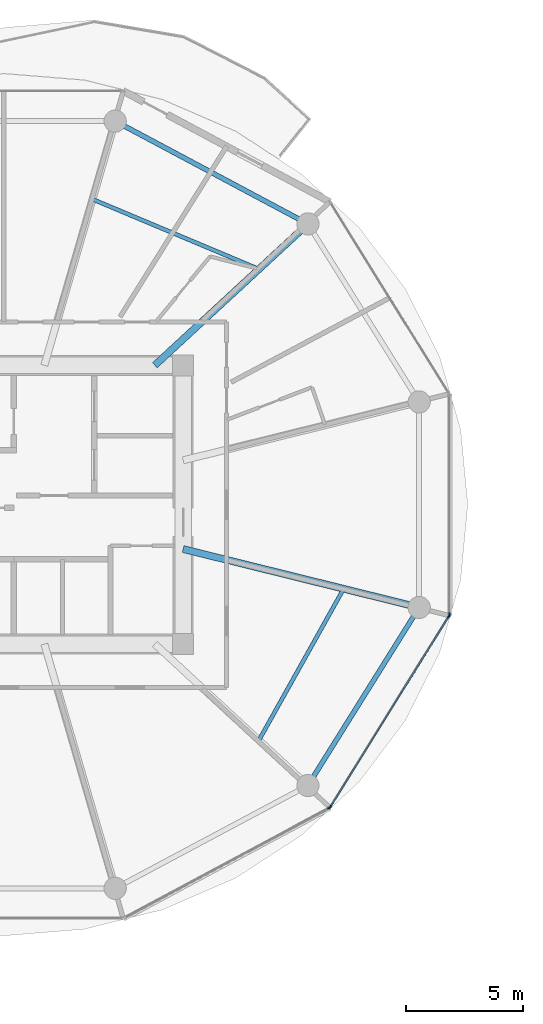
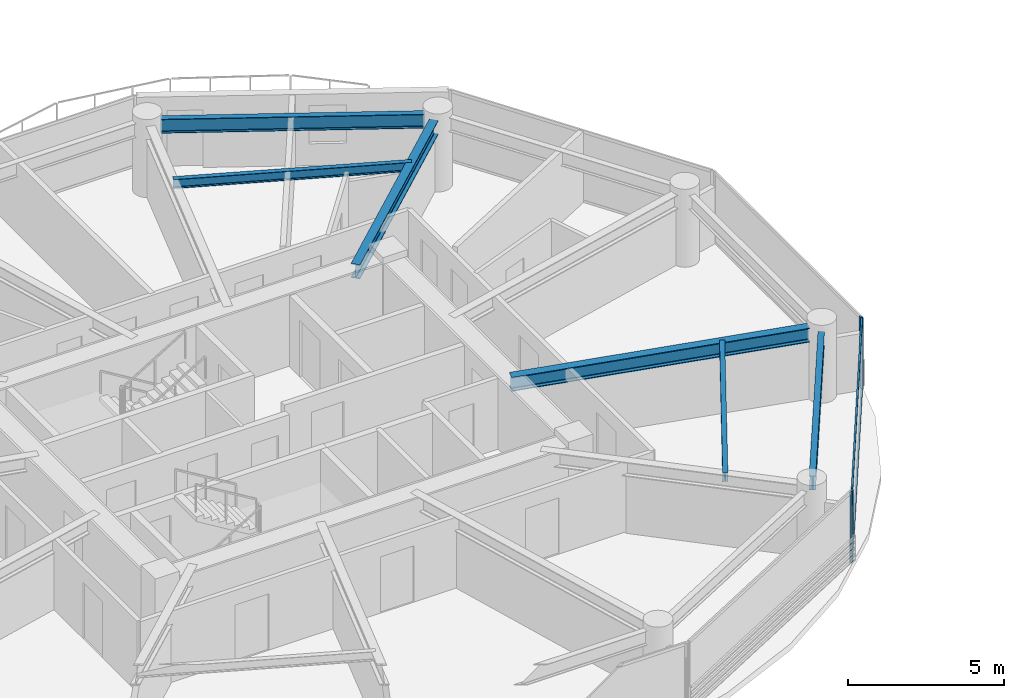
# One storey, part 5 of 25: 6 beams, 6 members, 3 elements without a shape of their own.
"""IFC4 building model written with IfcOpenShell, lengths in metres."""

from ifc_helpers import new_model, si_unit, direction, frame, origin, origin_2d, place, context, subcontext, project, spatial, rectangle, i_section, extrude, source, transform, mapped, material, layer, layer_set, material_profile, profile_set, type_object, type_shapes, element, aggregate, save


model = new_model("IFC4")

# Units and contexts
model_context = context("Model", 3, precision=1e-05, world=origin(), true_north=direction((0.0, 1.0)))
body_context = subcontext(model_context, "Body", "Model", "MODEL_VIEW")
ifc_project = project(units=[si_unit("LENGTHUNIT", "METRE"), si_unit("AREAUNIT", "SQUARE_METRE"), si_unit("VOLUMEUNIT", "CUBIC_METRE"), si_unit("PLANEANGLEUNIT", "RADIAN"), si_unit("MASSUNIT", "GRAM", prefix="KILO")], contexts=[model_context])

# Site, building, storey
site_placement = place(None, origin())
site = spatial("IfcSite", under=ifc_project, at=site_placement, CompositionType="ELEMENT")
building_placement = place(site_placement, origin())
building = spatial("IfcBuilding", under=site, at=building_placement, Name="Norrkilde Senior Care Towers", CompositionType="ELEMENT")
storey_placement = place(building_placement, frame((0.0, 0.0, 27.699951171875)))
storey = spatial("IfcBuildingStorey", under=building, at=storey_placement, Name="L07", CompositionType="ELEMENT", Elevation=27.699951171875)

# Beams
ifc_material_1 = material(Name="Steel S355", Category="steel")
ifc_material_profile_1 = material_profile(ifc_material_1, i_section(OverallWidth=0.2099609375, OverallDepth=0.550048828125, WebThickness=0.010986328125, FlangeThickness=0.01708984375, FilletRadius=0.02392578125, at=origin_2d()), Name="IPE 550")
ifc_profile_set_1 = profile_set([ifc_material_profile_1], Name="Steel S355")
beam_type_1 = type_object("IfcBeamType", Name="Perimeter Ring Spandrel Z1 IPE550", PredefinedType="SPANDREL", material=ifc_profile_set_1)
shared_shape_1 = source(origin(), body_context, "Body", "SweptSolid", [
    extrude(i_section(OverallWidth=0.2099609375, OverallDepth=0.550048828125, WebThickness=0.010986328125, FlangeThickness=0.01708984375, FilletRadius=0.02392578125, at=origin_2d()), origin(), (0.0, 0.0, 1.0), 8.090576171875),
])
beam_1_placement = place(storey_placement, frame((-14.7939453125, -11.61669921875, 2.51513671875), z_axis=(0.530004364821, 0.84799491347, 0.0), x_axis=(-0.84799491347, 0.530004364821, 0.0)))
element("IfcBeam", 1, at=beam_1_placement, inside=storey, type_object=beam_type_1, Name="L07 Drum W Perimeter Spandrel 11", PredefinedType="SPANDREL", context=body_context, shape_type="MappedRepresentation", body=[
    mapped(shared_shape_1, transform((0.0, 0.0, 0.0), x_axis=(1.0, 0.0, 0.0), y_axis=(0.0, 1.0, 0.0), z_axis=(0.0, 0.0, 1.0), scale=1.0)),
])
ifc_material_profile_2 = material_profile(ifc_material_1, i_section(OverallWidth=0.300048828125, OverallDepth=0.550048828125, WebThickness=0.014892578125, FlangeThickness=0.029052734375, FilletRadius=0.027099609375, at=origin_2d()), Name="HEB 550")
ifc_profile_set_2 = profile_set([ifc_material_profile_2], Name="Steel S355")
beam_type_2 = type_object("IfcBeamType", Name="Radial Floor Beam Z1 HEB550", PredefinedType="BEAM", material=ifc_profile_set_2)
shared_shape_2 = source(origin(), body_context, "Body", "SweptSolid", [
    extrude(i_section(OverallWidth=0.300048828125, OverallDepth=0.550048828125, WebThickness=0.014892578125, FlangeThickness=0.029052734375, FilletRadius=0.027099609375, at=origin_2d()), origin(), (0.0, 0.0, 1.0), 9.94384765625),
])
beam_2_placement = place(storey_placement, frame((-20.35009765625, -1.893310546875, 2.51513671875), z_axis=(0.970707425182, -0.240264634718, 0.0), x_axis=(0.240264634718, 0.970707425182, 0.0)))
element("IfcBeam", 2, at=beam_2_placement, inside=storey, type_object=beam_type_2, Name="L07 Drum W Radial Floor Beam 12", PredefinedType="BEAM", context=body_context, shape_type="MappedRepresentation", body=[
    mapped(shared_shape_2, transform((0.0, 0.0, 0.0), x_axis=(1.0, 0.0, 0.0), y_axis=(0.0, 1.0, 0.0), z_axis=(0.0, 0.0, 1.0), scale=1.0)),
])
shared_shape_3 = source(origin(), body_context, "Body", "SweptSolid", [
    extrude(i_section(OverallWidth=0.2099609375, OverallDepth=0.550048828125, WebThickness=0.010986328125, FlangeThickness=0.01708984375, FilletRadius=0.02392578125, at=origin_2d()), origin(), (0.0, 0.0, 1.0), 8.452880859375),
])
type_shapes(beam_type_1, [shared_shape_1, shared_shape_3])
beam_3_placement = place(storey_placement, frame((-15.408447265625, 12.190185546875, 2.51513671875), z_axis=(-0.882368931134, 0.470558252898, 0.0), x_axis=(-0.470558252898, -0.882368931134, 0.0)))
element("IfcBeam", 3, at=beam_3_placement, inside=storey, type_object=beam_type_1, Name="L07 Drum W Perimeter Spandrel 02", PredefinedType="SPANDREL", context=body_context, shape_type="MappedRepresentation", body=[
    mapped(shared_shape_3, transform((0.0, 0.0, 0.0), x_axis=(1.0, 0.0, 0.0), y_axis=(0.0, 1.0, 0.0), z_axis=(0.0, 0.0, 1.0), scale=1.0)),
])
shared_shape_4 = source(origin(), body_context, "Body", "SweptSolid", [
    extrude(i_section(OverallWidth=0.300048828125, OverallDepth=0.550048828125, WebThickness=0.014892578125, FlangeThickness=0.029052734375, FilletRadius=0.027099609375, at=origin_2d()), origin(), (0.0, 0.0, 1.0), 8.459716796875),
])
type_shapes(beam_type_2, [shared_shape_2, shared_shape_4])
beam_4_placement = place(storey_placement, frame((-21.55859375, 5.949951171875, 2.51513671875), z_axis=(0.734573269108, 0.678529374686, 0.0), x_axis=(-0.678529374686, 0.734573269108, 0.0)))
element("IfcBeam", 4, at=beam_4_placement, inside=storey, type_object=beam_type_2, Name="L07 Drum W Radial Floor Beam 02", PredefinedType="BEAM", context=body_context, shape_type="MappedRepresentation", body=[
    mapped(shared_shape_4, transform((0.0, 0.0, 0.0), x_axis=(1.0, 0.0, 0.0), y_axis=(0.0, 1.0, 0.0), z_axis=(0.0, 0.0, 1.0), scale=1.0)),
])
ifc_material_profile_3 = material_profile(ifc_material_1, i_section(OverallWidth=0.169921875, OverallDepth=0.360107421875, WebThickness=0.008056640625, FlangeThickness=0.0126953125, FilletRadius=0.01806640625, at=origin_2d()), Name="IPE 360")
ifc_profile_set_3 = profile_set([ifc_material_profile_3], Name="Steel S355")
beam_type_3 = type_object("IfcBeamType", Name="Secondary Floor Joist IPE360", PredefinedType="JOIST", material=ifc_profile_set_3)
shared_shape_5 = source(origin(), body_context, "Body", "SweptSolid", [
    extrude(i_section(OverallWidth=0.169921875, OverallDepth=0.360107421875, WebThickness=0.008056640625, FlangeThickness=0.0126953125, FilletRadius=0.01806640625, at=origin_2d()), origin(), (0.0, 0.0, 1.0), 7.703857421875),
])
beam_5_placement = place(storey_placement, frame((-17.115478515625, 10.05419921875, 2.610107421875), z_axis=(-0.921982784465, 0.387230868023, 0.0), x_axis=(-0.387230868023, -0.921982784465, 0.0)))
element("IfcBeam", 5, at=beam_5_placement, inside=storey, type_object=beam_type_3, Name="L07 Drum W Secondary Floor Joist 1", PredefinedType="JOIST", context=body_context, shape_type="MappedRepresentation", body=[
    mapped(shared_shape_5, transform((0.0, 0.0, 0.0), x_axis=(1.0, 0.0, 0.0), y_axis=(0.0, 1.0, 0.0), z_axis=(0.0, 0.0, 1.0), scale=1.0)),
])
shared_shape_6 = source(origin(), body_context, "Body", "SweptSolid", [
    extrude(i_section(OverallWidth=0.169921875, OverallDepth=0.360107421875, WebThickness=0.008056640625, FlangeThickness=0.0126953125, FilletRadius=0.01806640625, at=origin_2d()), origin(), (0.0, 0.0, 1.0), 7.40771484375),
])
type_shapes(beam_type_3, [shared_shape_5, shared_shape_6])
beam_6_placement = place(storey_placement, frame((-17.115478515625, -10.05419921875, 2.610107421875), z_axis=(0.488167754092, 0.872749817453, 0.0), x_axis=(-0.872749817453, 0.488167754092, 0.0)))
element("IfcBeam", 6, at=beam_6_placement, inside=storey, type_object=beam_type_3, Name="L07 Drum W Secondary Floor Joist 4", PredefinedType="JOIST", context=body_context, shape_type="MappedRepresentation", body=[
    mapped(shared_shape_6, transform((0.0, 0.0, 0.0), x_axis=(1.0, 0.0, 0.0), y_axis=(0.0, 1.0, 0.0), z_axis=(0.0, 0.0, 1.0), scale=1.0)),
])

# Curtain wall, member
ifc_material_2 = material(Name="Triple Low-E Insulated Glazing", Category="glass")
ifc_layer = layer(ifc_material_2, 0.199951171875)
ifc_layer_set = layer_set([ifc_layer], Name="Triple Low-E Insulated Glazing")
curtain_wall_type = type_object("IfcCurtainWallType", Name="CW2 Zone 1 Memory Care Curtain Wall", PredefinedType="NOTDEFINED", material=ifc_layer_set)
curtain_wall_1_placement = place(storey_placement, origin())
curtain_wall_1 = element("IfcCurtainWall", 7, at=curtain_wall_1_placement, inside=storey, type_object=curtain_wall_type, Name="L07 Drum W Curtain Wall 09", PredefinedType="NOTDEFINED")
ifc_material_3 = material(Name="Anodised Aluminium", Category="aluminium")
ifc_material_profile_4 = material_profile(ifc_material_3, rectangle(XDim=0.06494140625, YDim=0.159912109375, at=origin_2d()), Name="ALU MULL 65x160")
ifc_profile_set_4 = profile_set([ifc_material_profile_4], Name="Anodised Aluminium")
member_type_1 = type_object("IfcMemberType", Name="Curtain Wall Mullion Z1-Z2 65x160", PredefinedType="MULLION", material=ifc_profile_set_4)
shared_shape_7 = source(origin(), body_context, "Body", "SweptSolid", [
    extrude(rectangle(XDim=0.06494140625, YDim=0.159912109375, at=origin_2d()), origin(), (0.0, 0.0, 1.0), 2.7900390625),
])
type_shapes(member_type_1, [shared_shape_7])
member_1_placement = place(storey_placement, frame((-14.11279296875, -12.941162109375, 0.0), z_axis=(0.0, 0.0, 1.0), x_axis=(0.472607802456, -0.881272866403, 0.0)))
member_1 = element("IfcMember", 8, at=member_1_placement, type_object=member_type_1, Name="CW-2 mullion 1", PredefinedType="MULLION", context=body_context, shape_type="MappedRepresentation", body=[
    mapped(shared_shape_7, transform((0.0, 0.0, 0.0), x_axis=(1.0, 0.0, 0.0), y_axis=(0.0, 1.0, 0.0), z_axis=(0.0, 0.0, 1.0), scale=1.0)),
])
aggregate(curtain_wall_1, [member_1])

# Curtain wall, members
curtain_wall_2_placement = place(storey_placement, origin())
curtain_wall_2 = element("IfcCurtainWall", 9, at=curtain_wall_2_placement, inside=storey, type_object=curtain_wall_type, Name="L07 Drum W Curtain Wall 10", PredefinedType="NOTDEFINED")
member_2_placement = place(storey_placement, frame((-9.0078125, -4.7587890625, 0.0), z_axis=(0.0, 0.0, 1.0), x_axis=(0.849305943117, -0.527900951871, 0.0)))
member_2 = element("IfcMember", 10, at=member_2_placement, type_object=member_type_1, Name="CW-2 mullion 1", PredefinedType="MULLION", context=body_context, shape_type="MappedRepresentation", body=[
    mapped(shared_shape_7, transform((0.0, 0.0, 0.0), x_axis=(1.0, 0.0, 0.0), y_axis=(0.0, 1.0, 0.0), z_axis=(0.0, 0.0, 1.0), scale=1.0)),
])
member_3_placement = place(storey_placement, frame((-14.06689453125, -12.898193359375, 0.0), z_axis=(0.0, 0.0, 1.0), x_axis=(0.849305943117, -0.527900951871, 0.0)))
member_3 = element("IfcMember", 11, at=member_3_placement, type_object=member_type_1, Name="CW-2 mullion 2", PredefinedType="MULLION", context=body_context, shape_type="MappedRepresentation", body=[
    mapped(shared_shape_7, transform((0.0, 0.0, 0.0), x_axis=(1.0, 0.0, 0.0), y_axis=(0.0, 1.0, 0.0), z_axis=(0.0, 0.0, 1.0), scale=1.0)),
])

# Curtain wall, member
curtain_wall_3_placement = place(storey_placement, origin())
curtain_wall_3 = element("IfcCurtainWall", 12, at=curtain_wall_3_placement, inside=storey, type_object=curtain_wall_type, Name="L07 Drum W Curtain Wall 11", PredefinedType="NOTDEFINED")
member_4_placement = place(storey_placement, frame((-8.990478515625, -4.69873046875, 0.0), z_axis=(0.0, 0.0, 1.0), x_axis=(1.0, 0.0, 0.0)))
member_4 = element("IfcMember", 13, at=member_4_placement, type_object=member_type_1, Name="CW-2 mullion 2", PredefinedType="MULLION", context=body_context, shape_type="MappedRepresentation", body=[
    mapped(shared_shape_7, transform((0.0, 0.0, 0.0), x_axis=(1.0, 0.0, 0.0), y_axis=(0.0, 1.0, 0.0), z_axis=(0.0, 0.0, 1.0), scale=1.0)),
])
aggregate(curtain_wall_3, [member_4])

# Member
ifc_material_profile_5 = material_profile(ifc_material_3, rectangle(XDim=0.06005859375, YDim=0.1201171875, at=origin_2d()), Name="ALU TRAN 60x120")
ifc_profile_set_5 = profile_set([ifc_material_profile_5], Name="Anodised Aluminium")
member_type_2 = type_object("IfcMemberType", Name="Curtain Wall Transom Typical 60x120", PredefinedType="USERDEFINED", material=ifc_profile_set_5)
shared_shape_8 = source(origin(), body_context, "Body", "SweptSolid", [
    extrude(rectangle(XDim=0.06005859375, YDim=0.1201171875, at=origin_2d()), origin(), (0.0, 0.0, 1.0), 9.5185546875),
])
type_shapes(member_type_2, [shared_shape_8])
member_5_placement = place(storey_placement, frame((-9.02490234375, -4.786376953125, 0.030029296875), z_axis=(-0.527901620669, -0.849305527413, 0.0), x_axis=(0.849305527413, -0.527901620669, 0.0)))
member_5 = element("IfcMember", 14, at=member_5_placement, type_object=member_type_2, Name="CW-2 transom 1.1", ObjectType="TRANSOM", PredefinedType="USERDEFINED", context=body_context, shape_type="MappedRepresentation", body=[
    mapped(shared_shape_8, transform((0.0, 0.0, 0.0), x_axis=(1.0, 0.0, 0.0), y_axis=(0.0, 1.0, 0.0), z_axis=(0.0, 0.0, 1.0), scale=1.0)),
])

member_6_placement = place(storey_placement, frame((-9.02490234375, -4.786376953125, 2.760009765625), z_axis=(-0.527901620669, -0.849305527413, 0.0), x_axis=(0.849305527413, -0.527901620669, 0.0)))
member_6 = element("IfcMember", 15, at=member_6_placement, type_object=member_type_2, Name="CW-2 transom 1.2", ObjectType="TRANSOM", PredefinedType="USERDEFINED", context=body_context, shape_type="MappedRepresentation", body=[
    mapped(shared_shape_8, transform((0.0, 0.0, 0.0), x_axis=(1.0, 0.0, 0.0), y_axis=(0.0, 1.0, 0.0), z_axis=(0.0, 0.0, 1.0), scale=1.0)),
])

aggregate(curtain_wall_2, [member_2, member_3, member_5, member_6])

save(model, "model.ifc")
